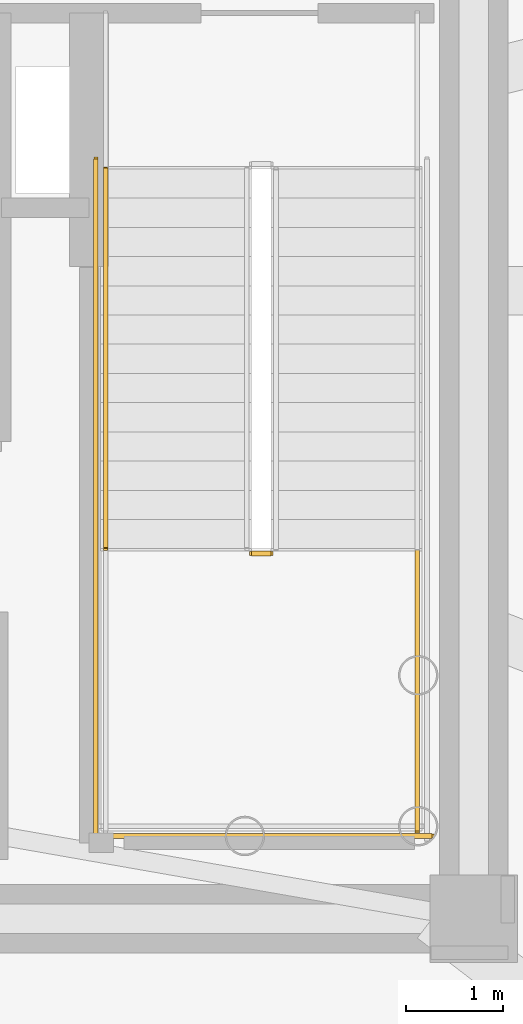
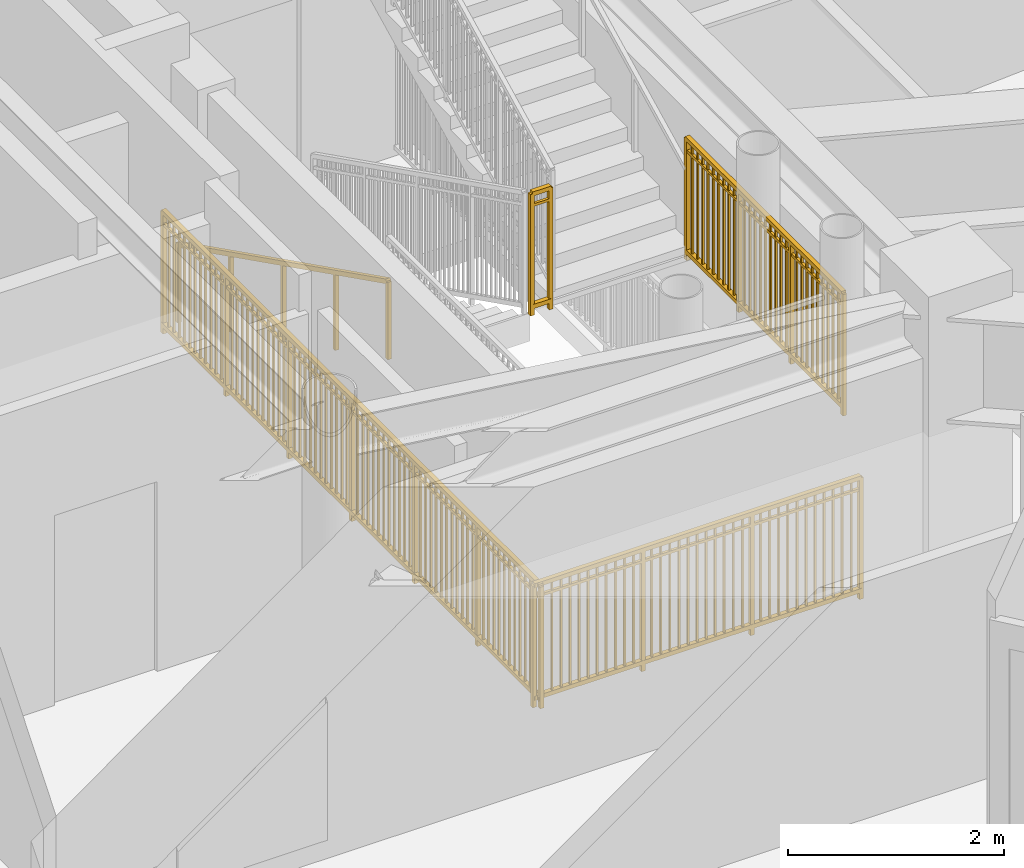
# One storey, part 19 of 23: 5 railings.
"""IFC4 building model written with IfcOpenShell, lengths in metres."""

from ifc_helpers import new_model, si_unit, direction, frame, origin, origin_2d, place, context, subcontext, project, spatial, rectangle, extrude, source, transform, mapped, material, type_object, element, save


model = new_model("IFC4")

# Units and contexts
model_context = context("Model", 3, precision=1e-05, world=origin(), true_north=direction((0.0, 1.0)))
body_context = subcontext(model_context, "Body", "Model", "MODEL_VIEW")
ifc_project = project(units=[si_unit("LENGTHUNIT", "METRE"), si_unit("AREAUNIT", "SQUARE_METRE"), si_unit("VOLUMEUNIT", "CUBIC_METRE"), si_unit("PLANEANGLEUNIT", "RADIAN"), si_unit("MASSUNIT", "GRAM", prefix="KILO")], contexts=[model_context])

# Site, building, storey
site_placement = place(None, origin())
site = spatial("IfcSite", under=ifc_project, at=site_placement, CompositionType="ELEMENT")
building_placement = place(site_placement, origin())
building = spatial("IfcBuilding", under=site, at=building_placement, Name="Linh Dai School and Residence Tower", CompositionType="ELEMENT")
storey_placement = place(building_placement, frame((0.0, 0.0, 359.39990234375)))
storey = spatial("IfcBuildingStorey", under=building, at=storey_placement, Name="L89", CompositionType="ELEMENT", Elevation=359.39990234375)

# Railings
ifc_material_1 = material(Name="Structural Steel S355JR", Category="steel")
railing_type_1 = type_object("IfcRailingType", Name="RL-ST-GUARD-1400", PredefinedType="GUARDRAIL", material=ifc_material_1)
shared_shape_1 = source(origin(), body_context, "Body", "SweptSolid", [
    extrude(rectangle(XDim=0.048095703125, YDim=0.048095703125, at=origin_2d()), frame((0.0, 0.0, 1.3759765625), z_axis=(1.0, 0.0, 0.0), x_axis=(0.0, 1.0, 0.0)), (0.0, 0.0, 1.0), 0.199951171875),
    extrude(rectangle(XDim=0.048095703125, YDim=0.048095703125, at=origin_2d()), frame((0.0, 0.0, 0.10009765625), z_axis=(1.0, 0.0, 0.0), x_axis=(0.0, 1.0, 0.0)), (0.0, 0.0, 1.0), 0.199951171875),
    extrude(rectangle(XDim=0.030029296875, YDim=0.030029296875, at=origin_2d()), frame((0.0, 0.0, 1.239990234375), z_axis=(1.0, 0.0, 0.0), x_axis=(0.0, 1.0, 0.0)), (0.0, 0.0, 1.0), 0.199951171875),
    extrude(rectangle(XDim=0.0419921875, YDim=0.0419921875, at=origin_2d()), origin(), (0.0, 0.0, 1.0), 1.3759765625),
    extrude(rectangle(XDim=0.0419921875, YDim=0.0419921875, at=origin_2d()), frame((0.199951171875, 0.0, 0.0)), (0.0, 0.0, 1.0), 1.3759765625),
])
railing_1_placement = place(storey_placement, frame((42.570068359375, 24.300048828125, 2.10009765625)))
element("IfcRailing", 1, at=railing_1_placement, inside=storey, type_object=railing_type_1, Name="L89 ST2 stair guard 2", PredefinedType="GUARDRAIL", context=body_context, shape_type="MappedRepresentation", body=[
    mapped(shared_shape_1, transform((0.0, 0.0, 0.0), x_axis=(1.0, 0.0, 0.0), y_axis=(0.0, 1.0, 0.0), z_axis=(0.0, 0.0, 1.0), scale=1.0)),
])
shared_shape_2 = source(origin(), body_context, "Body", "SweptSolid", [
    extrude(rectangle(XDim=0.048095703125, YDim=0.048095703125, at=origin_2d()), frame((0.0, 0.0, 1.3759765625), z_axis=(0.0, -1.0, 0.0), x_axis=(1.0, 0.0, 0.0)), (0.0, 0.0, 1.0), 7.0),
    extrude(rectangle(XDim=0.048095703125, YDim=0.048095703125, at=origin_2d()), frame((0.0, 0.0, 0.10009765625), z_axis=(0.0, -1.0, 0.0), x_axis=(1.0, 0.0, 0.0)), (0.0, 0.0, 1.0), 7.0),
    extrude(rectangle(XDim=0.030029296875, YDim=0.030029296875, at=origin_2d()), frame((0.0, 0.0, 1.239990234375), z_axis=(0.0, -1.0, 0.0), x_axis=(1.0, 0.0, 0.0)), (0.0, 0.0, 1.0), 7.0),
    extrude(rectangle(XDim=0.02001953125, YDim=0.02001953125, at=origin_2d()), frame((0.0, -0.09716796875, 0.10009765625)), (0.0, 0.0, 1.0), 1.251708984375),
    extrude(rectangle(XDim=0.02001953125, YDim=0.02001953125, at=origin_2d()), frame((0.0, -0.1943359375, 0.10009765625)), (0.0, 0.0, 1.0), 1.251708984375),
    extrude(rectangle(XDim=0.02001953125, YDim=0.02001953125, at=origin_2d()), frame((0.0, -0.291748046875, 0.10009765625)), (0.0, 0.0, 1.0), 1.251708984375),
    extrude(rectangle(XDim=0.02001953125, YDim=0.02001953125, at=origin_2d()), frame((0.0, -0.388916015625, 0.10009765625)), (0.0, 0.0, 1.0), 1.251708984375),
    extrude(rectangle(XDim=0.02001953125, YDim=0.02001953125, at=origin_2d()), frame((0.0, -0.486083984375, 0.10009765625)), (0.0, 0.0, 1.0), 1.251708984375),
    extrude(rectangle(XDim=0.02001953125, YDim=0.02001953125, at=origin_2d()), frame((0.0, -0.583251953125, 0.10009765625)), (0.0, 0.0, 1.0), 1.251708984375),
    extrude(rectangle(XDim=0.02001953125, YDim=0.02001953125, at=origin_2d()), frame((0.0, -0.6806640625, 0.10009765625)), (0.0, 0.0, 1.0), 1.251708984375),
    extrude(rectangle(XDim=0.02001953125, YDim=0.02001953125, at=origin_2d()), frame((0.0, -0.77783203125, 0.10009765625)), (0.0, 0.0, 1.0), 1.251708984375),
    extrude(rectangle(XDim=0.02001953125, YDim=0.02001953125, at=origin_2d()), frame((0.0, -0.875, 0.10009765625)), (0.0, 0.0, 1.0), 1.251708984375),
    extrude(rectangle(XDim=0.02001953125, YDim=0.02001953125, at=origin_2d()), frame((0.0, -0.97216796875, 0.10009765625)), (0.0, 0.0, 1.0), 1.251708984375),
    extrude(rectangle(XDim=0.02001953125, YDim=0.02001953125, at=origin_2d()), frame((0.0, -1.0693359375, 0.10009765625)), (0.0, 0.0, 1.0), 1.251708984375),
    extrude(rectangle(XDim=0.02001953125, YDim=0.02001953125, at=origin_2d()), frame((0.0, -1.263916015625, 0.10009765625)), (0.0, 0.0, 1.0), 1.251708984375),
    extrude(rectangle(XDim=0.02001953125, YDim=0.02001953125, at=origin_2d()), frame((0.0, -1.361083984375, 0.10009765625)), (0.0, 0.0, 1.0), 1.251708984375),
    extrude(rectangle(XDim=0.02001953125, YDim=0.02001953125, at=origin_2d()), frame((0.0, -1.458251953125, 0.10009765625)), (0.0, 0.0, 1.0), 1.251708984375),
    extrude(rectangle(XDim=0.02001953125, YDim=0.02001953125, at=origin_2d()), frame((0.0, -1.5556640625, 0.10009765625)), (0.0, 0.0, 1.0), 1.251708984375),
    extrude(rectangle(XDim=0.02001953125, YDim=0.02001953125, at=origin_2d()), frame((0.0, -1.65283203125, 0.10009765625)), (0.0, 0.0, 1.0), 1.251708984375),
    extrude(rectangle(XDim=0.02001953125, YDim=0.02001953125, at=origin_2d()), frame((0.0, -1.75, 0.10009765625)), (0.0, 0.0, 1.0), 1.251708984375),
    extrude(rectangle(XDim=0.02001953125, YDim=0.02001953125, at=origin_2d()), frame((0.0, -1.84716796875, 0.10009765625)), (0.0, 0.0, 1.0), 1.251708984375),
    extrude(rectangle(XDim=0.02001953125, YDim=0.02001953125, at=origin_2d()), frame((0.0, -1.9443359375, 0.10009765625)), (0.0, 0.0, 1.0), 1.251708984375),
    extrude(rectangle(XDim=0.02001953125, YDim=0.02001953125, at=origin_2d()), frame((0.0, -2.041748046875, 0.10009765625)), (0.0, 0.0, 1.0), 1.251708984375),
    extrude(rectangle(XDim=0.02001953125, YDim=0.02001953125, at=origin_2d()), frame((0.0, -2.138916015625, 0.10009765625)), (0.0, 0.0, 1.0), 1.251708984375),
    extrude(rectangle(XDim=0.02001953125, YDim=0.02001953125, at=origin_2d()), frame((0.0, -2.236083984375, 0.10009765625)), (0.0, 0.0, 1.0), 1.251708984375),
    extrude(rectangle(XDim=0.02001953125, YDim=0.02001953125, at=origin_2d()), frame((0.0, -2.4306640625, 0.10009765625)), (0.0, 0.0, 1.0), 1.251708984375),
    extrude(rectangle(XDim=0.02001953125, YDim=0.02001953125, at=origin_2d()), frame((0.0, -2.52783203125, 0.10009765625)), (0.0, 0.0, 1.0), 1.251708984375),
    extrude(rectangle(XDim=0.02001953125, YDim=0.02001953125, at=origin_2d()), frame((0.0, -2.625, 0.10009765625)), (0.0, 0.0, 1.0), 1.251708984375),
    extrude(rectangle(XDim=0.02001953125, YDim=0.02001953125, at=origin_2d()), frame((0.0, -2.72216796875, 0.10009765625)), (0.0, 0.0, 1.0), 1.251708984375),
    extrude(rectangle(XDim=0.02001953125, YDim=0.02001953125, at=origin_2d()), frame((0.0, -2.8193359375, 0.10009765625)), (0.0, 0.0, 1.0), 1.251708984375),
    extrude(rectangle(XDim=0.02001953125, YDim=0.02001953125, at=origin_2d()), frame((0.0, -2.916748046875, 0.10009765625)), (0.0, 0.0, 1.0), 1.251708984375),
    extrude(rectangle(XDim=0.02001953125, YDim=0.02001953125, at=origin_2d()), frame((0.0, -3.013916015625, 0.10009765625)), (0.0, 0.0, 1.0), 1.251708984375),
    extrude(rectangle(XDim=0.02001953125, YDim=0.02001953125, at=origin_2d()), frame((0.0, -3.111083984375, 0.10009765625)), (0.0, 0.0, 1.0), 1.251708984375),
    extrude(rectangle(XDim=0.02001953125, YDim=0.02001953125, at=origin_2d()), frame((0.0, -3.208251953125, 0.10009765625)), (0.0, 0.0, 1.0), 1.251708984375),
    extrude(rectangle(XDim=0.02001953125, YDim=0.02001953125, at=origin_2d()), frame((0.0, -3.3056640625, 0.10009765625)), (0.0, 0.0, 1.0), 1.251708984375),
    extrude(rectangle(XDim=0.02001953125, YDim=0.02001953125, at=origin_2d()), frame((0.0, -3.40283203125, 0.10009765625)), (0.0, 0.0, 1.0), 1.251708984375),
    extrude(rectangle(XDim=0.02001953125, YDim=0.02001953125, at=origin_2d()), frame((0.0, -3.59716796875, 0.10009765625)), (0.0, 0.0, 1.0), 1.251708984375),
    extrude(rectangle(XDim=0.02001953125, YDim=0.02001953125, at=origin_2d()), frame((0.0, -3.6943359375, 0.10009765625)), (0.0, 0.0, 1.0), 1.251708984375),
    extrude(rectangle(XDim=0.02001953125, YDim=0.02001953125, at=origin_2d()), frame((0.0, -3.791748046875, 0.10009765625)), (0.0, 0.0, 1.0), 1.251708984375),
    extrude(rectangle(XDim=0.02001953125, YDim=0.02001953125, at=origin_2d()), frame((0.0, -3.888916015625, 0.10009765625)), (0.0, 0.0, 1.0), 1.251708984375),
    extrude(rectangle(XDim=0.02001953125, YDim=0.02001953125, at=origin_2d()), frame((0.0, -3.986083984375, 0.10009765625)), (0.0, 0.0, 1.0), 1.251708984375),
    extrude(rectangle(XDim=0.02001953125, YDim=0.02001953125, at=origin_2d()), frame((0.0, -4.083251953125, 0.10009765625)), (0.0, 0.0, 1.0), 1.251708984375),
    extrude(rectangle(XDim=0.02001953125, YDim=0.02001953125, at=origin_2d()), frame((0.0, -4.1806640625, 0.10009765625)), (0.0, 0.0, 1.0), 1.251708984375),
    extrude(rectangle(XDim=0.02001953125, YDim=0.02001953125, at=origin_2d()), frame((0.0, -4.27783203125, 0.10009765625)), (0.0, 0.0, 1.0), 1.251708984375),
    extrude(rectangle(XDim=0.02001953125, YDim=0.02001953125, at=origin_2d()), frame((0.0, -4.375, 0.10009765625)), (0.0, 0.0, 1.0), 1.251708984375),
    extrude(rectangle(XDim=0.02001953125, YDim=0.02001953125, at=origin_2d()), frame((0.0, -4.47216796875, 0.10009765625)), (0.0, 0.0, 1.0), 1.251708984375),
    extrude(rectangle(XDim=0.02001953125, YDim=0.02001953125, at=origin_2d()), frame((0.0, -4.5693359375, 0.10009765625)), (0.0, 0.0, 1.0), 1.251708984375),
    extrude(rectangle(XDim=0.02001953125, YDim=0.02001953125, at=origin_2d()), frame((0.0, -4.763916015625, 0.10009765625)), (0.0, 0.0, 1.0), 1.251708984375),
    extrude(rectangle(XDim=0.02001953125, YDim=0.02001953125, at=origin_2d()), frame((0.0, -4.861083984375, 0.10009765625)), (0.0, 0.0, 1.0), 1.251708984375),
    extrude(rectangle(XDim=0.02001953125, YDim=0.02001953125, at=origin_2d()), frame((0.0, -4.958251953125, 0.10009765625)), (0.0, 0.0, 1.0), 1.251708984375),
    extrude(rectangle(XDim=0.02001953125, YDim=0.02001953125, at=origin_2d()), frame((0.0, -5.0556640625, 0.10009765625)), (0.0, 0.0, 1.0), 1.251708984375),
    extrude(rectangle(XDim=0.02001953125, YDim=0.02001953125, at=origin_2d()), frame((0.0, -5.15283203125, 0.10009765625)), (0.0, 0.0, 1.0), 1.251708984375),
    extrude(rectangle(XDim=0.02001953125, YDim=0.02001953125, at=origin_2d()), frame((0.0, -5.25, 0.10009765625)), (0.0, 0.0, 1.0), 1.251708984375),
    extrude(rectangle(XDim=0.02001953125, YDim=0.02001953125, at=origin_2d()), frame((0.0, -5.34716796875, 0.10009765625)), (0.0, 0.0, 1.0), 1.251708984375),
    extrude(rectangle(XDim=0.02001953125, YDim=0.02001953125, at=origin_2d()), frame((0.0, -5.4443359375, 0.10009765625)), (0.0, 0.0, 1.0), 1.251708984375),
    extrude(rectangle(XDim=0.02001953125, YDim=0.02001953125, at=origin_2d()), frame((0.0, -5.541748046875, 0.10009765625)), (0.0, 0.0, 1.0), 1.251708984375),
    extrude(rectangle(XDim=0.02001953125, YDim=0.02001953125, at=origin_2d()), frame((0.0, -5.638916015625, 0.10009765625)), (0.0, 0.0, 1.0), 1.251708984375),
    extrude(rectangle(XDim=0.02001953125, YDim=0.02001953125, at=origin_2d()), frame((0.0, -5.736083984375, 0.10009765625)), (0.0, 0.0, 1.0), 1.251708984375),
    extrude(rectangle(XDim=0.02001953125, YDim=0.02001953125, at=origin_2d()), frame((0.0, -5.9306640625, 0.10009765625)), (0.0, 0.0, 1.0), 1.251708984375),
    extrude(rectangle(XDim=0.02001953125, YDim=0.02001953125, at=origin_2d()), frame((0.0, -6.02783203125, 0.10009765625)), (0.0, 0.0, 1.0), 1.251708984375),
    extrude(rectangle(XDim=0.02001953125, YDim=0.02001953125, at=origin_2d()), frame((0.0, -6.125, 0.10009765625)), (0.0, 0.0, 1.0), 1.251708984375),
    extrude(rectangle(XDim=0.02001953125, YDim=0.02001953125, at=origin_2d()), frame((0.0, -6.22216796875, 0.10009765625)), (0.0, 0.0, 1.0), 1.251708984375),
    extrude(rectangle(XDim=0.02001953125, YDim=0.02001953125, at=origin_2d()), frame((0.0, -6.3193359375, 0.10009765625)), (0.0, 0.0, 1.0), 1.251708984375),
    extrude(rectangle(XDim=0.02001953125, YDim=0.02001953125, at=origin_2d()), frame((0.0, -6.416748046875, 0.10009765625)), (0.0, 0.0, 1.0), 1.251708984375),
    extrude(rectangle(XDim=0.02001953125, YDim=0.02001953125, at=origin_2d()), frame((0.0, -6.513916015625, 0.10009765625)), (0.0, 0.0, 1.0), 1.251708984375),
    extrude(rectangle(XDim=0.02001953125, YDim=0.02001953125, at=origin_2d()), frame((0.0, -6.611083984375, 0.10009765625)), (0.0, 0.0, 1.0), 1.251708984375),
    extrude(rectangle(XDim=0.02001953125, YDim=0.02001953125, at=origin_2d()), frame((0.0, -6.708251953125, 0.10009765625)), (0.0, 0.0, 1.0), 1.251708984375),
    extrude(rectangle(XDim=0.02001953125, YDim=0.02001953125, at=origin_2d()), frame((0.0, -6.8056640625, 0.10009765625)), (0.0, 0.0, 1.0), 1.251708984375),
    extrude(rectangle(XDim=0.02001953125, YDim=0.02001953125, at=origin_2d()), frame((0.0, -6.90283203125, 0.10009765625)), (0.0, 0.0, 1.0), 1.251708984375),
    extrude(rectangle(XDim=0.0419921875, YDim=0.0419921875, at=origin_2d()), origin(), (0.0, 0.0, 1.0), 1.3759765625),
    extrude(rectangle(XDim=0.0419921875, YDim=0.0419921875, at=origin_2d()), frame((0.0, -1.166748046875, 0.0)), (0.0, 0.0, 1.0), 1.3759765625),
    extrude(rectangle(XDim=0.0419921875, YDim=0.0419921875, at=origin_2d()), frame((0.0, -2.333251953125, 0.0)), (0.0, 0.0, 1.0), 1.3759765625),
    extrude(rectangle(XDim=0.0419921875, YDim=0.0419921875, at=origin_2d()), frame((0.0, -3.5, 0.0)), (0.0, 0.0, 1.0), 1.3759765625),
    extrude(rectangle(XDim=0.0419921875, YDim=0.0419921875, at=origin_2d()), frame((0.0, -4.666748046875, 0.0)), (0.0, 0.0, 1.0), 1.3759765625),
    extrude(rectangle(XDim=0.0419921875, YDim=0.0419921875, at=origin_2d()), frame((0.0, -5.833251953125, 0.0)), (0.0, 0.0, 1.0), 1.3759765625),
    extrude(rectangle(XDim=0.0419921875, YDim=0.0419921875, at=origin_2d()), frame((0.0, -7.0, 0.0)), (0.0, 0.0, 1.0), 1.3759765625),
])
railing_2_placement = place(storey_placement, frame((40.969970703125, 28.35009765625, 0.0)))
element("IfcRailing", 2, at=railing_2_placement, inside=storey, type_object=railing_type_1, Name="L89 ST2 stair guard 10", PredefinedType="GUARDRAIL", context=body_context, shape_type="MappedRepresentation", body=[
    mapped(shared_shape_2, transform((0.0, 0.0, 0.0), x_axis=(1.0, 0.0, 0.0), y_axis=(0.0, 1.0, 0.0), z_axis=(0.0, 0.0, 1.0), scale=1.0)),
])
shared_shape_3 = source(origin(), body_context, "Body", "SweptSolid", [
    extrude(rectangle(XDim=0.048095703125, YDim=0.048095703125, at=origin_2d()), frame((0.0, 0.0, 1.3759765625), z_axis=(1.0, 0.0, 0.0), x_axis=(0.0, 1.0, 0.0)), (0.0, 0.0, 1.0), 3.5),
    extrude(rectangle(XDim=0.048095703125, YDim=0.048095703125, at=origin_2d()), frame((0.0, 0.0, 0.10009765625), z_axis=(1.0, 0.0, 0.0), x_axis=(0.0, 1.0, 0.0)), (0.0, 0.0, 1.0), 3.5),
    extrude(rectangle(XDim=0.030029296875, YDim=0.030029296875, at=origin_2d()), frame((0.0, 0.0, 1.239990234375), z_axis=(1.0, 0.0, 0.0), x_axis=(0.0, 1.0, 0.0)), (0.0, 0.0, 1.0), 3.5),
    extrude(rectangle(XDim=0.02001953125, YDim=0.02001953125, at=origin_2d()), frame((0.09716796875, 0.0, 0.10009765625)), (0.0, 0.0, 1.0), 1.251708984375),
    extrude(rectangle(XDim=0.02001953125, YDim=0.02001953125, at=origin_2d()), frame((0.1943359375, 0.0, 0.10009765625)), (0.0, 0.0, 1.0), 1.251708984375),
    extrude(rectangle(XDim=0.02001953125, YDim=0.02001953125, at=origin_2d()), frame((0.291748046875, 0.0, 0.10009765625)), (0.0, 0.0, 1.0), 1.251708984375),
    extrude(rectangle(XDim=0.02001953125, YDim=0.02001953125, at=origin_2d()), frame((0.388916015625, 0.0, 0.10009765625)), (0.0, 0.0, 1.0), 1.251708984375),
    extrude(rectangle(XDim=0.02001953125, YDim=0.02001953125, at=origin_2d()), frame((0.486083984375, 0.0, 0.10009765625)), (0.0, 0.0, 1.0), 1.251708984375),
    extrude(rectangle(XDim=0.02001953125, YDim=0.02001953125, at=origin_2d()), frame((0.583251953125, 0.0, 0.10009765625)), (0.0, 0.0, 1.0), 1.251708984375),
    extrude(rectangle(XDim=0.02001953125, YDim=0.02001953125, at=origin_2d()), frame((0.6806640625, 0.0, 0.10009765625)), (0.0, 0.0, 1.0), 1.251708984375),
    extrude(rectangle(XDim=0.02001953125, YDim=0.02001953125, at=origin_2d()), frame((0.77783203125, 0.0, 0.10009765625)), (0.0, 0.0, 1.0), 1.251708984375),
    extrude(rectangle(XDim=0.02001953125, YDim=0.02001953125, at=origin_2d()), frame((0.875, 0.0, 0.10009765625)), (0.0, 0.0, 1.0), 1.251708984375),
    extrude(rectangle(XDim=0.02001953125, YDim=0.02001953125, at=origin_2d()), frame((0.97216796875, 0.0, 0.10009765625)), (0.0, 0.0, 1.0), 1.251708984375),
    extrude(rectangle(XDim=0.02001953125, YDim=0.02001953125, at=origin_2d()), frame((1.0693359375, 0.0, 0.10009765625)), (0.0, 0.0, 1.0), 1.251708984375),
    extrude(rectangle(XDim=0.02001953125, YDim=0.02001953125, at=origin_2d()), frame((1.263916015625, 0.0, 0.10009765625)), (0.0, 0.0, 1.0), 1.251708984375),
    extrude(rectangle(XDim=0.02001953125, YDim=0.02001953125, at=origin_2d()), frame((1.361083984375, 0.0, 0.10009765625)), (0.0, 0.0, 1.0), 1.251708984375),
    extrude(rectangle(XDim=0.02001953125, YDim=0.02001953125, at=origin_2d()), frame((1.458251953125, 0.0, 0.10009765625)), (0.0, 0.0, 1.0), 1.251708984375),
    extrude(rectangle(XDim=0.02001953125, YDim=0.02001953125, at=origin_2d()), frame((1.5556640625, 0.0, 0.10009765625)), (0.0, 0.0, 1.0), 1.251708984375),
    extrude(rectangle(XDim=0.02001953125, YDim=0.02001953125, at=origin_2d()), frame((1.65283203125, 0.0, 0.10009765625)), (0.0, 0.0, 1.0), 1.251708984375),
    extrude(rectangle(XDim=0.02001953125, YDim=0.02001953125, at=origin_2d()), frame((1.75, 0.0, 0.10009765625)), (0.0, 0.0, 1.0), 1.251708984375),
    extrude(rectangle(XDim=0.02001953125, YDim=0.02001953125, at=origin_2d()), frame((1.84716796875, 0.0, 0.10009765625)), (0.0, 0.0, 1.0), 1.251708984375),
    extrude(rectangle(XDim=0.02001953125, YDim=0.02001953125, at=origin_2d()), frame((1.9443359375, 0.0, 0.10009765625)), (0.0, 0.0, 1.0), 1.251708984375),
    extrude(rectangle(XDim=0.02001953125, YDim=0.02001953125, at=origin_2d()), frame((2.041748046875, 0.0, 0.10009765625)), (0.0, 0.0, 1.0), 1.251708984375),
    extrude(rectangle(XDim=0.02001953125, YDim=0.02001953125, at=origin_2d()), frame((2.138916015625, 0.0, 0.10009765625)), (0.0, 0.0, 1.0), 1.251708984375),
    extrude(rectangle(XDim=0.02001953125, YDim=0.02001953125, at=origin_2d()), frame((2.236083984375, 0.0, 0.10009765625)), (0.0, 0.0, 1.0), 1.251708984375),
    extrude(rectangle(XDim=0.02001953125, YDim=0.02001953125, at=origin_2d()), frame((2.4306640625, 0.0, 0.10009765625)), (0.0, 0.0, 1.0), 1.251708984375),
    extrude(rectangle(XDim=0.02001953125, YDim=0.02001953125, at=origin_2d()), frame((2.52783203125, 0.0, 0.10009765625)), (0.0, 0.0, 1.0), 1.251708984375),
    extrude(rectangle(XDim=0.02001953125, YDim=0.02001953125, at=origin_2d()), frame((2.625, 0.0, 0.10009765625)), (0.0, 0.0, 1.0), 1.251708984375),
    extrude(rectangle(XDim=0.02001953125, YDim=0.02001953125, at=origin_2d()), frame((2.72216796875, 0.0, 0.10009765625)), (0.0, 0.0, 1.0), 1.251708984375),
    extrude(rectangle(XDim=0.02001953125, YDim=0.02001953125, at=origin_2d()), frame((2.8193359375, 0.0, 0.10009765625)), (0.0, 0.0, 1.0), 1.251708984375),
    extrude(rectangle(XDim=0.02001953125, YDim=0.02001953125, at=origin_2d()), frame((2.916748046875, 0.0, 0.10009765625)), (0.0, 0.0, 1.0), 1.251708984375),
    extrude(rectangle(XDim=0.02001953125, YDim=0.02001953125, at=origin_2d()), frame((3.013916015625, 0.0, 0.10009765625)), (0.0, 0.0, 1.0), 1.251708984375),
    extrude(rectangle(XDim=0.02001953125, YDim=0.02001953125, at=origin_2d()), frame((3.111083984375, 0.0, 0.10009765625)), (0.0, 0.0, 1.0), 1.251708984375),
    extrude(rectangle(XDim=0.02001953125, YDim=0.02001953125, at=origin_2d()), frame((3.208251953125, 0.0, 0.10009765625)), (0.0, 0.0, 1.0), 1.251708984375),
    extrude(rectangle(XDim=0.02001953125, YDim=0.02001953125, at=origin_2d()), frame((3.3056640625, 0.0, 0.10009765625)), (0.0, 0.0, 1.0), 1.251708984375),
    extrude(rectangle(XDim=0.02001953125, YDim=0.02001953125, at=origin_2d()), frame((3.40283203125, 0.0, 0.10009765625)), (0.0, 0.0, 1.0), 1.251708984375),
    extrude(rectangle(XDim=0.0419921875, YDim=0.0419921875, at=origin_2d()), origin(), (0.0, 0.0, 1.0), 1.3759765625),
    extrude(rectangle(XDim=0.0419921875, YDim=0.0419921875, at=origin_2d()), frame((1.166748046875, 0.0, 0.0)), (0.0, 0.0, 1.0), 1.3759765625),
    extrude(rectangle(XDim=0.0419921875, YDim=0.0419921875, at=origin_2d()), frame((2.333251953125, 0.0, 0.0)), (0.0, 0.0, 1.0), 1.3759765625),
    extrude(rectangle(XDim=0.0419921875, YDim=0.0419921875, at=origin_2d()), frame((3.5, 0.0, 0.0)), (0.0, 0.0, 1.0), 1.3759765625),
])
railing_3_placement = place(storey_placement, frame((40.919921875, 21.39990234375, 0.0)))
element("IfcRailing", 3, at=railing_3_placement, inside=storey, type_object=railing_type_1, Name="L89 ST2 stair guard 12", PredefinedType="GUARDRAIL", context=body_context, shape_type="MappedRepresentation", body=[
    mapped(shared_shape_3, transform((0.0, 0.0, 0.0), x_axis=(1.0, 0.0, 0.0), y_axis=(0.0, 1.0, 0.0), z_axis=(0.0, 0.0, 1.0), scale=1.0)),
])
shared_shape_4 = source(origin(), body_context, "Body", "SweptSolid", [
    extrude(rectangle(XDim=0.048095703125, YDim=0.048095703125, at=origin_2d()), frame((0.0, 0.0, 1.3759765625), z_axis=(0.0, -1.0, 0.0), x_axis=(1.0, 0.0, 0.0)), (0.0, 0.0, 1.0), 2.900146484375),
    extrude(rectangle(XDim=0.048095703125, YDim=0.048095703125, at=origin_2d()), frame((0.0, 0.0, 0.10009765625), z_axis=(0.0, -1.0, 0.0), x_axis=(1.0, 0.0, 0.0)), (0.0, 0.0, 1.0), 2.900146484375),
    extrude(rectangle(XDim=0.030029296875, YDim=0.030029296875, at=origin_2d()), frame((0.0, 0.0, 1.239990234375), z_axis=(0.0, -1.0, 0.0), x_axis=(1.0, 0.0, 0.0)), (0.0, 0.0, 1.0), 2.900146484375),
    extrude(rectangle(XDim=0.02001953125, YDim=0.02001953125, at=origin_2d()), frame((0.0, -0.0966796875, 0.10009765625)), (0.0, 0.0, 1.0), 1.251708984375),
    extrude(rectangle(XDim=0.02001953125, YDim=0.02001953125, at=origin_2d()), frame((0.0, -0.193359375, 0.10009765625)), (0.0, 0.0, 1.0), 1.251708984375),
    extrude(rectangle(XDim=0.02001953125, YDim=0.02001953125, at=origin_2d()), frame((0.0, -0.2900390625, 0.10009765625)), (0.0, 0.0, 1.0), 1.251708984375),
    extrude(rectangle(XDim=0.02001953125, YDim=0.02001953125, at=origin_2d()), frame((0.0, -0.38671875, 0.10009765625)), (0.0, 0.0, 1.0), 1.251708984375),
    extrude(rectangle(XDim=0.02001953125, YDim=0.02001953125, at=origin_2d()), frame((0.0, -0.4833984375, 0.10009765625)), (0.0, 0.0, 1.0), 1.251708984375),
    extrude(rectangle(XDim=0.02001953125, YDim=0.02001953125, at=origin_2d()), frame((0.0, -0.580078125, 0.10009765625)), (0.0, 0.0, 1.0), 1.251708984375),
    extrude(rectangle(XDim=0.02001953125, YDim=0.02001953125, at=origin_2d()), frame((0.0, -0.6767578125, 0.10009765625)), (0.0, 0.0, 1.0), 1.251708984375),
    extrude(rectangle(XDim=0.02001953125, YDim=0.02001953125, at=origin_2d()), frame((0.0, -0.7734375, 0.10009765625)), (0.0, 0.0, 1.0), 1.251708984375),
    extrude(rectangle(XDim=0.02001953125, YDim=0.02001953125, at=origin_2d()), frame((0.0, -0.8701171875, 0.10009765625)), (0.0, 0.0, 1.0), 1.251708984375),
    extrude(rectangle(XDim=0.02001953125, YDim=0.02001953125, at=origin_2d()), frame((0.0, -1.0634765625, 0.10009765625)), (0.0, 0.0, 1.0), 1.251708984375),
    extrude(rectangle(XDim=0.02001953125, YDim=0.02001953125, at=origin_2d()), frame((0.0, -1.16015625, 0.10009765625)), (0.0, 0.0, 1.0), 1.251708984375),
    extrude(rectangle(XDim=0.02001953125, YDim=0.02001953125, at=origin_2d()), frame((0.0, -1.2568359375, 0.10009765625)), (0.0, 0.0, 1.0), 1.251708984375),
    extrude(rectangle(XDim=0.02001953125, YDim=0.02001953125, at=origin_2d()), frame((0.0, -1.353515625, 0.10009765625)), (0.0, 0.0, 1.0), 1.251708984375),
    extrude(rectangle(XDim=0.02001953125, YDim=0.02001953125, at=origin_2d()), frame((0.0, -1.4501953125, 0.10009765625)), (0.0, 0.0, 1.0), 1.251708984375),
    extrude(rectangle(XDim=0.02001953125, YDim=0.02001953125, at=origin_2d()), frame((0.0, -1.546630859375, 0.10009765625)), (0.0, 0.0, 1.0), 1.251708984375),
    extrude(rectangle(XDim=0.02001953125, YDim=0.02001953125, at=origin_2d()), frame((0.0, -1.643310546875, 0.10009765625)), (0.0, 0.0, 1.0), 1.251708984375),
    extrude(rectangle(XDim=0.02001953125, YDim=0.02001953125, at=origin_2d()), frame((0.0, -1.739990234375, 0.10009765625)), (0.0, 0.0, 1.0), 1.251708984375),
    extrude(rectangle(XDim=0.02001953125, YDim=0.02001953125, at=origin_2d()), frame((0.0, -1.836669921875, 0.10009765625)), (0.0, 0.0, 1.0), 1.251708984375),
    extrude(rectangle(XDim=0.02001953125, YDim=0.02001953125, at=origin_2d()), frame((0.0, -2.030029296875, 0.10009765625)), (0.0, 0.0, 1.0), 1.251708984375),
    extrude(rectangle(XDim=0.02001953125, YDim=0.02001953125, at=origin_2d()), frame((0.0, -2.126708984375, 0.10009765625)), (0.0, 0.0, 1.0), 1.251708984375),
    extrude(rectangle(XDim=0.02001953125, YDim=0.02001953125, at=origin_2d()), frame((0.0, -2.223388671875, 0.10009765625)), (0.0, 0.0, 1.0), 1.251708984375),
    extrude(rectangle(XDim=0.02001953125, YDim=0.02001953125, at=origin_2d()), frame((0.0, -2.320068359375, 0.10009765625)), (0.0, 0.0, 1.0), 1.251708984375),
    extrude(rectangle(XDim=0.02001953125, YDim=0.02001953125, at=origin_2d()), frame((0.0, -2.416748046875, 0.10009765625)), (0.0, 0.0, 1.0), 1.251708984375),
    extrude(rectangle(XDim=0.02001953125, YDim=0.02001953125, at=origin_2d()), frame((0.0, -2.513427734375, 0.10009765625)), (0.0, 0.0, 1.0), 1.251708984375),
    extrude(rectangle(XDim=0.02001953125, YDim=0.02001953125, at=origin_2d()), frame((0.0, -2.610107421875, 0.10009765625)), (0.0, 0.0, 1.0), 1.251708984375),
    extrude(rectangle(XDim=0.02001953125, YDim=0.02001953125, at=origin_2d()), frame((0.0, -2.706787109375, 0.10009765625)), (0.0, 0.0, 1.0), 1.251708984375),
    extrude(rectangle(XDim=0.02001953125, YDim=0.02001953125, at=origin_2d()), frame((0.0, -2.803466796875, 0.10009765625)), (0.0, 0.0, 1.0), 1.251708984375),
    extrude(rectangle(XDim=0.0419921875, YDim=0.0419921875, at=origin_2d()), origin(), (0.0, 0.0, 1.0), 1.3759765625),
    extrude(rectangle(XDim=0.0419921875, YDim=0.0419921875, at=origin_2d()), frame((0.0, -0.966796875, 0.0)), (0.0, 0.0, 1.0), 1.3759765625),
    extrude(rectangle(XDim=0.0419921875, YDim=0.0419921875, at=origin_2d()), frame((0.0, -1.933349609375, 0.0)), (0.0, 0.0, 1.0), 1.3759765625),
    extrude(rectangle(XDim=0.0419921875, YDim=0.0419921875, at=origin_2d()), frame((0.0, -2.900146484375, 0.0)), (0.0, 0.0, 1.0), 1.3759765625),
])
railing_4_placement = place(storey_placement, frame((44.27001953125, 24.35009765625, 2.10009765625)))
element("IfcRailing", 4, at=railing_4_placement, inside=storey, type_object=railing_type_1, Name="L89 ST2 stair guard 4", PredefinedType="GUARDRAIL", context=body_context, shape_type="MappedRepresentation", body=[
    mapped(shared_shape_4, transform((0.0, 0.0, 0.0), x_axis=(1.0, 0.0, 0.0), y_axis=(0.0, 1.0, 0.0), z_axis=(0.0, 0.0, 1.0), scale=1.0)),
])
ifc_material_2 = material(Name="Brushed Stainless Steel Handrail", Category="steel")
railing_type_2 = type_object("IfcRailingType", Name="RL-ST-HANDRAIL-900", PredefinedType="HANDRAIL", material=ifc_material_2)
shared_shape_5 = source(origin(), body_context, "Body", "SweptSolid", [
    extrude(rectangle(XDim=0.048095703125, YDim=0.048095703125, at=origin_2d()), frame((0.0, 0.0, 0.8759765625), z_axis=(0.0, -0.894427191, 0.4472135955), x_axis=(1.0, 0.0, 0.0)), (0.0, 0.0, 1.0), 4.360107421875),
    extrude(rectangle(XDim=0.0419921875, YDim=0.0419921875, at=origin_2d()), origin(), (0.0, 0.0, 1.0), 0.8759765625),
    extrude(rectangle(XDim=0.0419921875, YDim=0.0419921875, at=origin_2d()), frame((0.0, -0.97509765625, 0.487548828125)), (0.0, 0.0, 1.0), 0.8759765625),
    extrude(rectangle(XDim=0.0419921875, YDim=0.0419921875, at=origin_2d()), frame((0.0, -1.949951171875, 0.97509765625)), (0.0, 0.0, 1.0), 0.8759765625),
    extrude(rectangle(XDim=0.0419921875, YDim=0.0419921875, at=origin_2d()), frame((0.0, -2.9248046875, 1.46240234375)), (0.0, 0.0, 1.0), 0.8759765625),
    extrude(rectangle(XDim=0.0419921875, YDim=0.0419921875, at=origin_2d()), frame((0.0, -3.89990234375, 1.949951171875)), (0.0, 0.0, 1.0), 0.8759765625),
])
railing_5_placement = place(storey_placement, frame((41.070068359375, 28.25, 0.150146484375)))
element("IfcRailing", 5, at=railing_5_placement, inside=storey, type_object=railing_type_2, Name="L89 ST2 stair handrail 1", PredefinedType="HANDRAIL", context=body_context, shape_type="MappedRepresentation", body=[
    mapped(shared_shape_5, transform((0.0, 0.0, 0.0), x_axis=(1.0, 0.0, 0.0), y_axis=(0.0, 1.0, 0.0), z_axis=(0.0, 0.0, 1.0), scale=1.0)),
])

save(model, "model.ifc")
